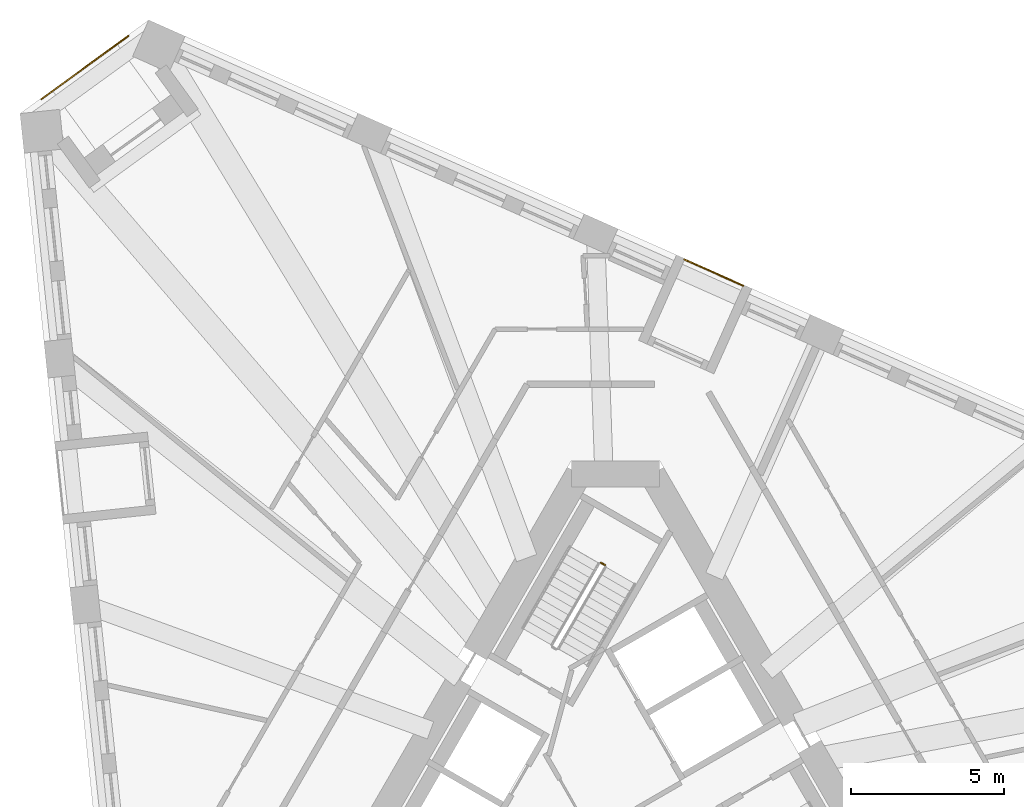
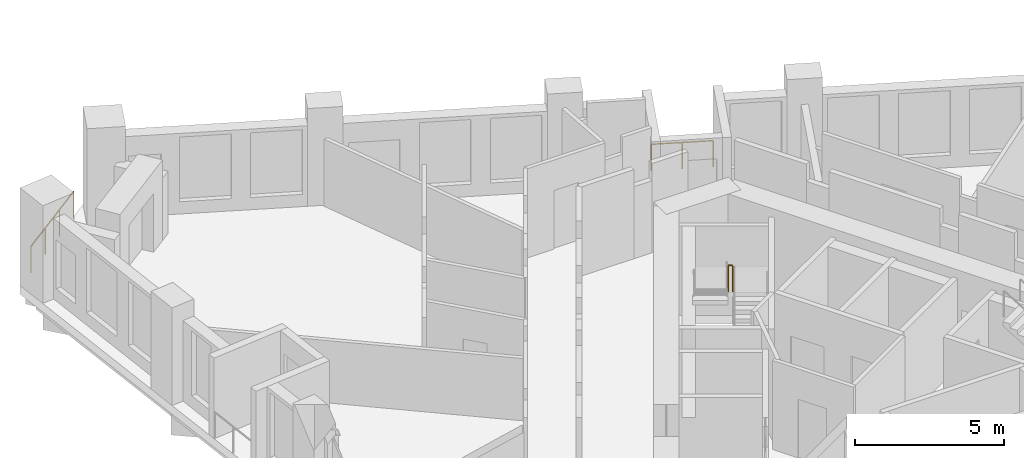
# One storey, part 13 of 14: 3 railings.
"""IFC4 building model written with IfcOpenShell, lengths in metres."""

from ifc_helpers import new_model, si_unit, direction, frame, origin, origin_2d, place, context, subcontext, project, spatial, circle, extrude, material, type_object, element, save


model = new_model("IFC4")

# Units and contexts
model_context = context("Model", 3, precision=1e-05, world=origin(), true_north=direction((0.0, 1.0)))
body_context = subcontext(model_context, "Body", "Model", "MODEL_VIEW")
ifc_project = project(units=[si_unit("LENGTHUNIT", "METRE"), si_unit("AREAUNIT", "SQUARE_METRE"), si_unit("VOLUMEUNIT", "CUBIC_METRE"), si_unit("PLANEANGLEUNIT", "RADIAN"), si_unit("MASSUNIT", "GRAM", prefix="KILO")], contexts=[model_context])

# Site, building, storey
site_placement = place(None, origin())
site = spatial("IfcSite", under=ifc_project, at=site_placement, CompositionType="ELEMENT")
building_placement = place(site_placement, origin())
building = spatial("IfcBuilding", under=site, at=building_placement, Name="Tramontana Tower", CompositionType="ELEMENT")
storey_placement = place(building_placement, frame((0.0, 0.0, 170.800048828125)))
storey = spatial("IfcBuildingStorey", under=building, at=storey_placement, Name="L39", CompositionType="ELEMENT", Elevation=170.800048828125)

# Railings
ifc_material_1 = material(Name="Laminated glass balustrade", Category="glass")
railing_type_1 = type_object("IfcRailingType", Name="GD1 Loggia glass balustrade 1100", PredefinedType="BALUSTRADE", material=ifc_material_1)
railing_1_placement = place(storey_placement, frame((4.1669921875, 16.720703125, 0.0)))
element("IfcRailing", 1, at=railing_1_placement, inside=storey, type_object=railing_type_1, Name="Loggia balustrade L39 G4S2.10", PredefinedType="BALUSTRADE", context=body_context, shape_type="SweptSolid", body=[
    extrude(circle(Radius=0.02392578125, at=origin_2d()), frame((0.0, 0.0, 1.076171875), z_axis=(-0.913556597974, 0.40671162056, 0.0), x_axis=(-0.40671162056, -0.913556597974, 0.0)), (0.0, 0.0, 1.0), 2.094482421875),
    extrude(circle(Radius=0.02099609375, at=origin_2d()), origin(), (0.0, 0.0, 1.0), 1.052001953125),
    extrude(circle(Radius=0.02099609375, at=origin_2d()), frame((-0.95654296875, 0.42578125, 0.0)), (0.0, 0.0, 1.0), 1.052001953125),
    extrude(circle(Radius=0.02099609375, at=origin_2d()), frame((-1.913330078125, 0.851806640625, 0.0)), (0.0, 0.0, 1.0), 1.052001953125),
])
railing_2_placement = place(storey_placement, frame((-18.73779296875, 22.81298828125, 0.0)))
element("IfcRailing", 2, at=railing_2_placement, inside=storey, type_object=railing_type_1, Name="Corner loggia balustrade L39 K40", PredefinedType="BALUSTRADE", context=body_context, shape_type="SweptSolid", body=[
    extrude(circle(Radius=0.02392578125, at=origin_2d()), frame((0.0, 0.0, 1.076171875), z_axis=(0.808998426921, 0.587810807352, 0.0), x_axis=(-0.587810807352, 0.808998426921, 0.0)), (0.0, 0.0, 1.0), 3.5),
    extrude(circle(Radius=0.02099609375, at=origin_2d()), origin(), (0.0, 0.0, 1.0), 1.052001953125),
    extrude(circle(Radius=0.02099609375, at=origin_2d()), frame((0.94384765625, 0.685791015625, 0.0)), (0.0, 0.0, 1.0), 1.052001953125),
    extrude(circle(Radius=0.02099609375, at=origin_2d()), frame((1.8876953125, 1.37158203125, 0.0)), (0.0, 0.0, 1.0), 1.052001953125),
    extrude(circle(Radius=0.02099609375, at=origin_2d()), frame((2.83154296875, 2.057373046875, 0.0)), (0.0, 0.0, 1.0), 1.052001953125),
])
ifc_material_2 = material(Name="Painted steel", Category="steel")
railing_type_2 = type_object("IfcRailingType", Name="STAIR GUARD 1100", PredefinedType="GUARDRAIL", material=ifc_material_2)
railing_3_placement = place(storey_placement, frame((-0.345703125, 7.601318359375, 2.0)))
element("IfcRailing", 3, at=railing_3_placement, inside=storey, type_object=railing_type_2, Name="L39 ST1 stair guard 3", PredefinedType="GUARDRAIL", context=body_context, shape_type="SweptSolid", body=[
    extrude(circle(Radius=0.02392578125, at=origin_2d()), frame((0.0, 0.0, 1.076171875), z_axis=(-0.866131372301, 0.499816412211, 0.0), x_axis=(-0.499816412211, -0.866131372301, 0.0)), (0.0, 0.0, 1.0), 0.14990234375),
    extrude(circle(Radius=0.02099609375, at=origin_2d()), origin(), (0.0, 0.0, 1.0), 1.052001953125),
    extrude(circle(Radius=0.02099609375, at=origin_2d()), frame((-0.1298828125, 0.074951171875, 0.0)), (0.0, 0.0, 1.0), 1.052001953125),
])

save(model, "model.ifc")
